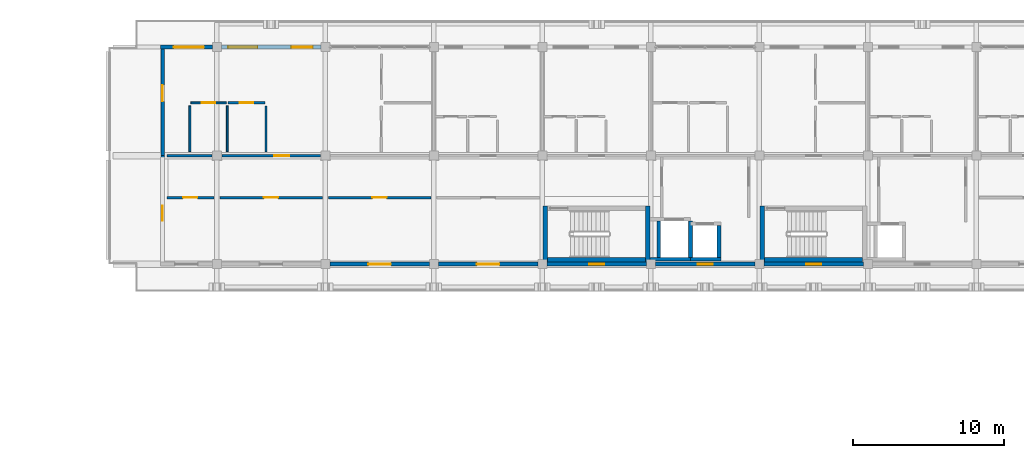
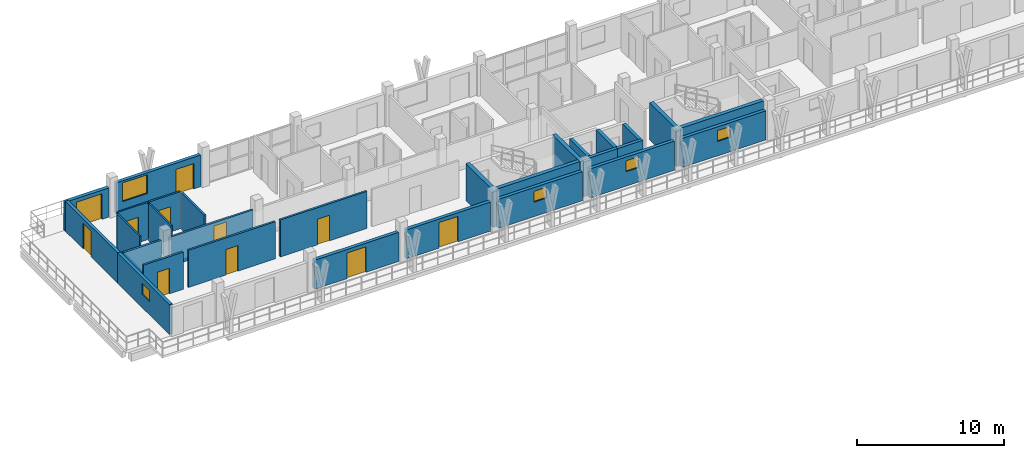
# One storey, part 35 of 60: 29 walls, 11 doors, 5 windows, 16 openings.
"""IFC4 building model written with IfcOpenShell, lengths in metres."""

from ifc_helpers import new_model, si_unit, direction, frame, frame_2d, origin, place, context, subcontext, project, spatial, rectangle, extrude, material, layer, layer_set, type_object, element, fill, save


model = new_model("IFC4")

# Units and contexts
model_context = context("Model", 3, precision=1e-05, world=origin(), true_north=direction((0.0, 1.0)))
body_context = subcontext(model_context, "Body", "Model", "MODEL_VIEW")
ifc_project = project(units=[si_unit("LENGTHUNIT", "METRE"), si_unit("AREAUNIT", "SQUARE_METRE"), si_unit("VOLUMEUNIT", "CUBIC_METRE"), si_unit("PLANEANGLEUNIT", "RADIAN"), si_unit("MASSUNIT", "GRAM", prefix="KILO")], contexts=[model_context])

# Site, building, storey
site_placement = place(None, origin())
site = spatial("IfcSite", under=ifc_project, at=site_placement, CompositionType="ELEMENT")
building_placement = place(site_placement, origin())
building = spatial("IfcBuilding", under=site, at=building_placement, Name="Suanplinth Sawtooth Commons", CompositionType="ELEMENT")
storey_placement = place(building_placement, frame((0.0, 0.0, 31.5)))
storey = spatial("IfcBuildingStorey", under=building, at=storey_placement, Name="L09", CompositionType="ELEMENT", Elevation=31.5)

# Walls
ifc_material_1 = material(Name="Concrete C40/50", Category="concrete")
ifc_layer_1 = layer(ifc_material_1, 0.300048828125, Name="Standard RC stair and lift core wall 300mm")
ifc_layer_set_1 = layer_set([ifc_layer_1], Name="Concrete C40/50")
wall_type_1 = type_object("IfcWallType", Name="W-CR02", PredefinedType="SHEAR", material=ifc_layer_set_1)
wall_1_placement = place(storey_placement, frame((43.550048828125, 108.300048828125, 0.0), z_axis=(0.0, 0.0, 1.0), x_axis=(1.0, 0.0, 0.0)))
element("IfcWall", 1, at=wall_1_placement, inside=storey, type_object=wall_type_1, Name="W-L09-C-A1-STS", PredefinedType="SHEAR", context=body_context, shape_type="SweptSolid", body=[
    extrude(rectangle(XDim=6.5, YDim=0.300048828125, at=frame_2d((3.25, 0.0))), origin(), (0.0, 0.0, 1.0), 3.080078125),
])
for number, where, z_axis, x_axis, name in (
    (2, (43.39990234375, 108.14990234375, 0.0), (0.0, 0.0, 1.0), (0.0, 1.0, 0.0), "W-L09-C-A1-STW"),
    (3, (50.199951171875, 108.14990234375, 0.0), (0.0, 0.0, 1.0), (0.0, 1.0, 0.0), "W-L09-C-A1-STE"),
):
    element("IfcWall", number, at=place(storey_placement, frame(where, z_axis=z_axis, x_axis=x_axis)), inside=storey, type_object=wall_type_1, Name=name, PredefinedType="SHEAR", context=body_context, shape_type="SweptSolid", body=[
        extrude(rectangle(XDim=3.7001953125, YDim=0.300048828125, at=frame_2d((1.85009765625, 0.0))), origin(), (0.0, 0.0, 1.0), 3.080078125),
    ])
wall_2_placement = place(storey_placement, frame((57.949951171875, 108.300048828125, 0.0), z_axis=(0.0, 0.0, 1.0), x_axis=(1.0, 0.0, 0.0)))
element("IfcWall", 4, at=wall_2_placement, inside=storey, type_object=wall_type_1, Name="W-L09-C-A2-STS", PredefinedType="SHEAR", context=body_context, shape_type="SweptSolid", body=[
    extrude(rectangle(XDim=6.5, YDim=0.300048828125, at=frame_2d((3.25, 0.0))), origin(), (0.0, 0.0, 1.0), 3.080078125),
])
wall_3_placement = place(storey_placement, frame((57.800048828125, 108.14990234375, 0.0), z_axis=(0.0, 0.0, 1.0), x_axis=(0.0, 1.0, 0.0)))
element("IfcWall", 5, at=wall_3_placement, inside=storey, type_object=wall_type_1, Name="W-L09-C-A2-STW", PredefinedType="SHEAR", context=body_context, shape_type="SweptSolid", body=[
    extrude(rectangle(XDim=3.7001953125, YDim=0.300048828125, at=frame_2d((1.85009765625, 0.0))), origin(), (0.0, 0.0, 1.0), 3.080078125),
])

# Wall, opening, door
ifc_material_2 = material(Name="Precast concrete C40/50", Category="concrete")
ifc_layer_2 = layer(ifc_material_2, 0.260009765625, Name="Insulated precast courtyard facade wall 260mm")
ifc_layer_set_2 = layer_set([ifc_layer_2], Name="Precast concrete C40/50")
wall_type_2 = type_object("IfcWallType", Name="W-EX02", PredefinedType="ELEMENTEDWALL", material=ifc_layer_set_2)
wall_4_placement = place(storey_placement, frame((17.8701171875, 122.39990234375, 0.0), z_axis=(0.0, 0.0, 1.0), x_axis=(1.0, 0.0, 0.0)))
wall_4 = element("IfcWall", 6, at=wall_4_placement, inside=storey, type_object=wall_type_2, Name="Facade Wall W-L09-A-N-0", PredefinedType="ELEMENTEDWALL", context=body_context, shape_type="SweptSolid", body=[
    extrude(rectangle(XDim=3.429931640625, YDim=0.260009765625, at=frame_2d((1.71484375, 0.0))), origin(), (0.0, 0.0, 1.0), 2.4150390625),
])
opening_1_placement = place(wall_4_placement, frame((0.8798828125, 0.0, 0.0)))
opening_1 = element("IfcOpeningElement", 7, at=opening_1_placement, cuts=wall_4, Name="Opening ED0688", PredefinedType="OPENING", context=body_context, shape_type="SweptSolid", body=[
    extrude(rectangle(XDim=2.0, YDim=2.1201171875, at=frame_2d((1.0, 1.06005859375))), frame((0.0, 0.14501953125, 0.0), z_axis=(0.0, -1.0, 0.0), x_axis=(1.0, 0.0, 0.0)), (0.0, 0.0, 1.0), 0.289794921875),
])
ifc_material_3 = material(Name="Anodized aluminium and low-E glass", Category="aluminium")
door_type_1 = type_object("IfcDoorType", Name="SD-06", OperationType="DOUBLE_DOOR_SLIDING", PredefinedType="DOOR", material=ifc_material_3)
door_1_placement = place(opening_1_placement, frame((2.0, 0.0, 0.0), z_axis=(0.0, 0.0, 1.0), x_axis=(-1.0, 0.0, 0.0)))
door_1 = element("IfcDoor", 8, at=door_1_placement, inside=storey, type_object=door_type_1, Name="Balcony Sliding Door L09-A-N-0", OperationType="DOUBLE_DOOR_SLIDING", OverallHeight=2.1201171875, OverallWidth=2.0, PredefinedType="DOOR", context=body_context, shape_type="SweptSolid", body=[
    extrude(rectangle(XDim=2.0, YDim=2.1201171875, at=frame_2d((1.0, 1.06005859375))), frame((0.0, 0.02490234375, 0.0), z_axis=(0.0, -1.0, 0.0), x_axis=(1.0, 0.0, 0.0)), (0.0, 0.0, 1.0), 0.050048828125),
])
fill(opening_1, door_1)

# Wall, openings, door, window
wall_5_placement = place(storey_placement, frame((21.89990234375, 122.39990234375, 0.0), z_axis=(0.0, 0.0, 1.0), x_axis=(1.0, 0.0, 0.0)))
wall_5 = element("IfcWall", 9, at=wall_5_placement, inside=storey, type_object=wall_type_2, Name="Facade Wall W-L09-A-N-1", PredefinedType="ELEMENTEDWALL", context=body_context, shape_type="SweptSolid", body=[
    extrude(rectangle(XDim=6.60009765625, YDim=0.260009765625, at=frame_2d((3.300048828125, 0.0))), origin(), (0.0, 0.0, 1.0), 2.614990234375),
])
opening_2_placement = place(wall_5_placement, frame((4.64990234375, 0.0, 0.0)))
opening_2 = element("IfcOpeningElement", 10, at=opening_2_placement, cuts=wall_5, Name="Opening ED0690", PredefinedType="OPENING", context=body_context, shape_type="SweptSolid", body=[
    extrude(rectangle(XDim=1.39990234375, YDim=2.10009765625, at=frame_2d((0.699951171875, 1.050048828125))), frame((0.0, 0.14501953125, 0.0), z_axis=(0.0, -1.0, 0.0), x_axis=(1.0, 0.0, 0.0)), (0.0, 0.0, 1.0), 0.289794921875),
])
opening_3_placement = place(wall_5_placement, frame((0.449951171875, 0.0, 0.89990234375)))
opening_3 = element("IfcOpeningElement", 11, at=opening_3_placement, cuts=wall_5, Name="Opening W0772", PredefinedType="OPENING", context=body_context, shape_type="SweptSolid", body=[
    extrude(rectangle(XDim=1.949951171875, YDim=1.550048828125, at=frame_2d((0.97509765625, 0.77490234375))), frame((0.0, 0.14501953125, 0.0), z_axis=(0.0, -1.0, 0.0), x_axis=(1.0, 0.0, 0.0)), (0.0, 0.0, 1.0), 0.289794921875),
])
door_type_2 = type_object("IfcDoorType", Name="SD-07", OperationType="SLIDING_TO_RIGHT", PredefinedType="DOOR", material=ifc_material_3)
door_2_placement = place(opening_2_placement, frame((1.39990234375, 0.0, 0.0), z_axis=(0.0, 0.0, 1.0), x_axis=(-1.0, 0.0, 0.0)))
door_2 = element("IfcDoor", 12, at=door_2_placement, inside=storey, type_object=door_type_2, Name="Balcony Sliding Door L09-A-N-1", OperationType="SLIDING_TO_RIGHT", OverallHeight=2.10009765625, OverallWidth=1.39990234375, PredefinedType="DOOR", context=body_context, shape_type="SweptSolid", body=[
    extrude(rectangle(XDim=1.39990234375, YDim=2.10009765625, at=frame_2d((0.699951171875, 1.050048828125))), frame((0.0, 0.02490234375, 0.0), z_axis=(0.0, -1.0, 0.0), x_axis=(1.0, 0.0, 0.0)), (0.0, 0.0, 1.0), 0.050048828125),
])
fill(opening_2, door_2)
ifc_material_4 = material(Name="Thermally broken aluminium and low-E double glazing", Category="aluminium")
window_type_1 = type_object("IfcWindowType", Name="WN-18", PartitioningType="DOUBLE_PANEL_VERTICAL", PredefinedType="WINDOW", material=ifc_material_4)
window_1_placement = place(opening_3_placement, origin())
window_1 = element("IfcWindow", 13, at=window_1_placement, inside=storey, type_object=window_type_1, Name="Window L09-A-N-1", OverallHeight=1.550048828125, OverallWidth=1.949951171875, PartitioningType="DOUBLE_PANEL_VERTICAL", PredefinedType="WINDOW", context=body_context, shape_type="SweptSolid", body=[
    extrude(rectangle(XDim=1.949951171875, YDim=1.550048828125, at=frame_2d((0.97509765625, 0.77490234375))), frame((0.0, 0.030029296875, 0.0), z_axis=(0.0, -1.0, 0.0), x_axis=(1.0, 0.0, 0.0)), (0.0, 0.0, 1.0), 0.06005859375),
])
fill(opening_3, window_1)

# Wall, opening, door
wall_6_placement = place(storey_placement, frame((29.10009765625, 108.0, 0.0), z_axis=(0.0, 0.0, 1.0), x_axis=(1.0, 0.0, 0.0)))
wall_6 = element("IfcWall", 14, at=wall_6_placement, inside=storey, type_object=wall_type_2, Name="Courtyard Wall W-L09-A-S-2", PredefinedType="ELEMENTEDWALL", context=body_context, shape_type="SweptSolid", body=[
    extrude(rectangle(XDim=6.599853515625, YDim=0.260009765625, at=frame_2d((3.2998046875, 0.0))), origin(), (0.0, 0.0, 1.0), 2.4150390625),
])
opening_4_placement = place(wall_6_placement, frame((2.550048828125, 0.0, 0.0)))
opening_4 = element("IfcOpeningElement", 15, at=opening_4_placement, cuts=wall_6, Name="Opening ED0692", PredefinedType="OPENING", context=body_context, shape_type="SweptSolid", body=[
    extrude(rectangle(XDim=1.5, YDim=2.1201171875, at=frame_2d((0.75, 1.06005859375))), frame((0.0, 0.14501953125, 0.0), z_axis=(0.0, -1.0, 0.0), x_axis=(1.0, 0.0, 0.0)), (0.0, 0.0, 1.0), 0.289794921875),
])
door_type_3 = type_object("IfcDoorType", Name="SD-03", OperationType="SLIDING_TO_LEFT", PredefinedType="DOOR", material=ifc_material_3)
door_3_placement = place(opening_4_placement, frame((1.5, 0.0, 0.0), z_axis=(0.0, 0.0, 1.0), x_axis=(-1.0, 0.0, 0.0)))
door_3 = element("IfcDoor", 16, at=door_3_placement, inside=storey, type_object=door_type_3, Name="Courtyard Balcony Sliding Door L09-A-S-2", OperationType="SLIDING_TO_LEFT", OverallHeight=2.1201171875, OverallWidth=1.5, PredefinedType="DOOR", context=body_context, shape_type="SweptSolid", body=[
    extrude(rectangle(XDim=1.5, YDim=2.1201171875, at=frame_2d((0.75, 1.06005859375))), frame((0.0, 0.02490234375, 0.0), z_axis=(0.0, -1.0, 0.0), x_axis=(1.0, 0.0, 0.0)), (0.0, 0.0, 1.0), 0.050048828125),
])
fill(opening_4, door_3)

wall_7_placement = place(storey_placement, frame((36.300048828125, 108.0, 0.0), z_axis=(0.0, 0.0, 1.0), x_axis=(1.0, 0.0, 0.0)))
wall_7 = element("IfcWall", 17, at=wall_7_placement, inside=storey, type_object=wall_type_2, Name="Courtyard Wall W-L09-A-S-3", PredefinedType="ELEMENTEDWALL", context=body_context, shape_type="SweptSolid", body=[
    extrude(rectangle(XDim=6.599853515625, YDim=0.260009765625, at=frame_2d((3.2998046875, 0.0))), origin(), (0.0, 0.0, 1.0), 2.4150390625),
])
opening_5_placement = place(wall_7_placement, frame((2.550048828125, 0.0, 0.0)))
opening_5 = element("IfcOpeningElement", 18, at=opening_5_placement, cuts=wall_7, Name="Opening ED0694", PredefinedType="OPENING", context=body_context, shape_type="SweptSolid", body=[
    extrude(rectangle(XDim=1.5, YDim=2.1201171875, at=frame_2d((0.75, 1.06005859375))), frame((0.0, 0.14501953125, 0.0), z_axis=(0.0, -1.0, 0.0), x_axis=(1.0, 0.0, 0.0)), (0.0, 0.0, 1.0), 0.289794921875),
])
door_4_placement = place(opening_5_placement, frame((1.5, 0.0, 0.0), z_axis=(0.0, 0.0, 1.0), x_axis=(-1.0, 0.0, 0.0)))
door_4 = element("IfcDoor", 19, at=door_4_placement, inside=storey, type_object=door_type_3, Name="Courtyard Balcony Sliding Door L09-A-S-3", OperationType="SLIDING_TO_LEFT", OverallHeight=2.1201171875, OverallWidth=1.5, PredefinedType="DOOR", context=body_context, shape_type="SweptSolid", body=[
    extrude(rectangle(XDim=1.5, YDim=2.1201171875, at=frame_2d((0.75, 1.06005859375))), frame((0.0, 0.02490234375, 0.0), z_axis=(0.0, -1.0, 0.0), x_axis=(1.0, 0.0, 0.0)), (0.0, 0.0, 1.0), 0.050048828125),
])
fill(opening_5, door_4)

# Wall, opening, window
wall_8_placement = place(storey_placement, frame((43.5, 108.0, 0.0), z_axis=(0.0, 0.0, 1.0), x_axis=(1.0, 0.0, 0.0)))
wall_8 = element("IfcWall", 20, at=wall_8_placement, inside=storey, type_object=wall_type_2, Name="Courtyard Wall W-L09-A-S-4", PredefinedType="ELEMENTEDWALL", context=body_context, shape_type="SweptSolid", body=[
    extrude(rectangle(XDim=6.60009765625, YDim=0.260009765625, at=frame_2d((3.300048828125, 0.0))), origin(), (0.0, 0.0, 1.0), 2.4150390625),
])
opening_6_placement = place(wall_8_placement, frame((2.800048828125, 0.0, 1.199951171875)))
opening_6 = element("IfcOpeningElement", 21, at=opening_6_placement, cuts=wall_8, Name="Opening W0775", PredefinedType="OPENING", context=body_context, shape_type="SweptSolid", body=[
    extrude(rectangle(XDim=1.0, YDim=0.89990234375, at=frame_2d((0.5, 0.449951171875))), frame((0.0, 0.14501953125, 0.0), z_axis=(0.0, -1.0, 0.0), x_axis=(1.0, 0.0, 0.0)), (0.0, 0.0, 1.0), 0.289794921875),
])
window_type_2 = type_object("IfcWindowType", Name="WN-12", PartitioningType="SINGLE_PANEL", PredefinedType="WINDOW", material=ifc_material_4)
window_2_placement = place(opening_6_placement, origin())
window_2 = element("IfcWindow", 22, at=window_2_placement, inside=storey, type_object=window_type_2, Name="Core Daylight Window L09-A-4", OverallHeight=0.89990234375, OverallWidth=1.0, PartitioningType="SINGLE_PANEL", PredefinedType="WINDOW", context=body_context, shape_type="SweptSolid", body=[
    extrude(rectangle(XDim=1.0, YDim=0.89990234375, at=frame_2d((0.5, 0.449951171875))), frame((0.0, 0.030029296875, 0.0), z_axis=(0.0, -1.0, 0.0), x_axis=(1.0, 0.0, 0.0)), (0.0, 0.0, 1.0), 0.06005859375),
])
fill(opening_6, window_2)

wall_9_placement = place(storey_placement, frame((50.699951171875, 108.0, 0.0), z_axis=(0.0, 0.0, 1.0), x_axis=(1.0, 0.0, 0.0)))
wall_9 = element("IfcWall", 23, at=wall_9_placement, inside=storey, type_object=wall_type_2, Name="Courtyard Wall W-L09-A-S-5", PredefinedType="ELEMENTEDWALL", context=body_context, shape_type="SweptSolid", body=[
    extrude(rectangle(XDim=6.60009765625, YDim=0.260009765625, at=frame_2d((3.300048828125, 0.0))), origin(), (0.0, 0.0, 1.0), 2.4150390625),
])
opening_7_placement = place(wall_9_placement, frame((2.800048828125, 0.0, 1.199951171875)))
opening_7 = element("IfcOpeningElement", 24, at=opening_7_placement, cuts=wall_9, Name="Opening W0776", PredefinedType="OPENING", context=body_context, shape_type="SweptSolid", body=[
    extrude(rectangle(XDim=1.0, YDim=0.89990234375, at=frame_2d((0.5, 0.449951171875))), frame((0.0, 0.14501953125, 0.0), z_axis=(0.0, -1.0, 0.0), x_axis=(1.0, 0.0, 0.0)), (0.0, 0.0, 1.0), 0.289794921875),
])
window_3_placement = place(opening_7_placement, origin())
window_3 = element("IfcWindow", 25, at=window_3_placement, inside=storey, type_object=window_type_2, Name="Core Daylight Window L09-A-5", OverallHeight=0.89990234375, OverallWidth=1.0, PartitioningType="SINGLE_PANEL", PredefinedType="WINDOW", context=body_context, shape_type="SweptSolid", body=[
    extrude(rectangle(XDim=1.0, YDim=0.89990234375, at=frame_2d((0.5, 0.449951171875))), frame((0.0, 0.030029296875, 0.0), z_axis=(0.0, -1.0, 0.0), x_axis=(1.0, 0.0, 0.0)), (0.0, 0.0, 1.0), 0.06005859375),
])
fill(opening_7, window_3)

wall_10_placement = place(storey_placement, frame((57.89990234375, 108.0, 0.0), z_axis=(0.0, 0.0, 1.0), x_axis=(1.0, 0.0, 0.0)))
wall_10 = element("IfcWall", 26, at=wall_10_placement, inside=storey, type_object=wall_type_2, Name="Courtyard Wall W-L09-A-S-6", PredefinedType="ELEMENTEDWALL", context=body_context, shape_type="SweptSolid", body=[
    extrude(rectangle(XDim=6.60009765625, YDim=0.260009765625, at=frame_2d((3.300048828125, 0.0))), origin(), (0.0, 0.0, 1.0), 2.4150390625),
])
opening_8_placement = place(wall_10_placement, frame((2.800048828125, 0.0, 1.199951171875)))
opening_8 = element("IfcOpeningElement", 27, at=opening_8_placement, cuts=wall_10, Name="Opening W0778", PredefinedType="OPENING", context=body_context, shape_type="SweptSolid", body=[
    extrude(rectangle(XDim=1.0, YDim=0.89990234375, at=frame_2d((0.5, 0.449951171875))), frame((0.0, 0.14501953125, 0.0), z_axis=(0.0, -1.0, 0.0), x_axis=(1.0, 0.0, 0.0)), (0.0, 0.0, 1.0), 0.289794921875),
])
window_4_placement = place(opening_8_placement, origin())
window_4 = element("IfcWindow", 28, at=window_4_placement, inside=storey, type_object=window_type_2, Name="Core Daylight Window L09-A-6", OverallHeight=0.89990234375, OverallWidth=1.0, PartitioningType="SINGLE_PANEL", PredefinedType="WINDOW", context=body_context, shape_type="SweptSolid", body=[
    extrude(rectangle(XDim=1.0, YDim=0.89990234375, at=frame_2d((0.5, 0.449951171875))), frame((0.0, 0.030029296875, 0.0), z_axis=(0.0, -1.0, 0.0), x_axis=(1.0, 0.0, 0.0)), (0.0, 0.0, 1.0), 0.06005859375),
])
fill(opening_8, window_4)

ifc_layer_3 = layer(ifc_material_2, 0.22998046875, Name="Stepped terrace insulated precast wall 230mm")
ifc_layer_set_3 = layer_set([ifc_layer_3], Name="Precast concrete C40/50")
wall_type_3 = type_object("IfcWallType", Name="W-EX06", PredefinedType="ELEMENTEDWALL", material=ifc_layer_set_3)
wall_11_placement = place(storey_placement, frame((18.0, 108.1298828125, 0.0), z_axis=(0.0, 0.0, 1.0), x_axis=(0.0, 1.0, 0.0)))
wall_11 = element("IfcWall", 29, at=wall_11_placement, inside=storey, type_object=wall_type_3, Name="End Wall W-L09-A-W-15", PredefinedType="ELEMENTEDWALL", context=body_context, shape_type="SweptSolid", body=[
    extrude(rectangle(XDim=7.070068359375, YDim=0.22998046875, at=frame_2d((3.53515625, 0.0))), origin(), (0.0, 0.0, 1.0), 2.514892578125),
])
opening_9_placement = place(wall_11_placement, frame((2.75, 0.0, 1.10009765625)))
opening_9 = element("IfcOpeningElement", 30, at=opening_9_placement, cuts=wall_11, Name="Opening W0783", PredefinedType="OPENING", context=body_context, shape_type="SweptSolid", body=[
    extrude(rectangle(XDim=1.0, YDim=0.89990234375, at=frame_2d((0.5, 0.449951171875))), frame((0.0, 0.1298828125, 0.0), z_axis=(0.0, -1.0, 0.0), x_axis=(1.0, 0.0, 0.0)), (0.0, 0.0, 1.0), 0.259765625),
])
window_5_placement = place(opening_9_placement, origin())
window_5 = element("IfcWindow", 31, at=window_5_placement, inside=storey, type_object=window_type_2, Name="End Window L09-A-W-15", OverallHeight=0.89990234375, OverallWidth=1.0, PartitioningType="SINGLE_PANEL", PredefinedType="WINDOW", context=body_context, shape_type="SweptSolid", body=[
    extrude(rectangle(XDim=1.0, YDim=0.89990234375, at=frame_2d((0.5, 0.449951171875))), frame((0.0, 0.030029296875, 0.0), z_axis=(0.0, -1.0, 0.0), x_axis=(1.0, 0.0, 0.0)), (0.0, 0.0, 1.0), 0.06005859375),
])
fill(opening_9, window_5)

# Wall, opening, door
wall_12_placement = place(storey_placement, frame((18.0, 115.199951171875, 0.0), z_axis=(0.0, 0.0, 1.0), x_axis=(0.0, 1.0, 0.0)))
wall_12 = element("IfcWall", 32, at=wall_12_placement, inside=storey, type_object=wall_type_3, Name="End Wall W-L09-A-W-16", PredefinedType="ELEMENTEDWALL", context=body_context, shape_type="SweptSolid", body=[
    extrude(rectangle(XDim=7.070068359375, YDim=0.22998046875, at=frame_2d((3.53515625, 0.0))), origin(), (0.0, 0.0, 1.0), 2.514892578125),
])
opening_10_placement = place(wall_12_placement, frame((3.60009765625, 0.0, 0.0)))
opening_10 = element("IfcOpeningElement", 33, at=opening_10_placement, cuts=wall_12, Name="Opening ED0705", PredefinedType="OPENING", context=body_context, shape_type="SweptSolid", body=[
    extrude(rectangle(XDim=1.080078125, YDim=2.1201171875, at=frame_2d((0.5400390625, 1.06005859375))), frame((0.0, 0.1298828125, 0.0), z_axis=(0.0, -1.0, 0.0), x_axis=(1.0, 0.0, 0.0)), (0.0, 0.0, 1.0), 0.259765625),
])
door_type_4 = type_object("IfcDoorType", Name="ED-10", OperationType="NOTDEFINED", PredefinedType="DOOR", material=ifc_material_3)
door_5_placement = place(opening_10_placement, frame((1.080078125, 0.0, 0.0), z_axis=(0.0, 0.0, 1.0), x_axis=(-1.0, 0.0, 0.0)))
door_5 = element("IfcDoor", 34, at=door_5_placement, inside=storey, type_object=door_type_4, Name="L09 Block A W Stepped Terrace Door", OperationType="SINGLE_SWING_RIGHT", OverallHeight=2.1201171875, OverallWidth=1.080078125, PredefinedType="DOOR", context=body_context, shape_type="SweptSolid", body=[
    extrude(rectangle(XDim=1.080078125, YDim=2.1201171875, at=frame_2d((0.5400390625, 1.06005859375))), frame((0.0, 0.02490234375, 0.0), z_axis=(0.0, -1.0, 0.0), x_axis=(1.0, 0.0, 0.0)), (0.0, 0.0, 1.0), 0.050048828125),
])
fill(opening_10, door_5)

# Wall
ifc_layer_4 = layer(ifc_material_2, 0.159912109375, Name="Fire-rated corridor and lobby wall 160mm")
ifc_layer_set_4 = layer_set([ifc_layer_4], Name="Precast concrete C40/50")
wall_type_4 = type_object("IfcWallType", Name="W-FW01", PredefinedType="PARTITIONING", material=ifc_layer_set_4)
wall_13_placement = place(storey_placement, frame((18.280029296875, 115.199951171875, 0.0), z_axis=(0.0, 0.0, 1.0), x_axis=(1.0, 0.0, 0.0)))
element("IfcWall", 35, at=wall_13_placement, inside=storey, type_object=wall_type_4, Name="W-A-L09-U01-COR-S1", PredefinedType="PARTITIONING", context=body_context, shape_type="SweptSolid", body=[
    extrude(rectangle(XDim=2.989990234375, YDim=0.159912109375, at=frame_2d((1.4951171875, 0.0))), origin(), (0.0, 0.0, 1.0), 2.4150390625),
])

# Wall, opening, door
wall_14_placement = place(storey_placement, frame((21.929931640625, 115.199951171875, 0.0), z_axis=(0.0, 0.0, 1.0), x_axis=(1.0, 0.0, 0.0)))
wall_14 = element("IfcWall", 36, at=wall_14_placement, inside=storey, type_object=wall_type_4, Name="W-A-L09-U01-COR-S2", PredefinedType="PARTITIONING", context=body_context, shape_type="SweptSolid", body=[
    extrude(rectangle(XDim=6.5400390625, YDim=0.159912109375, at=frame_2d((3.27001953125, 0.0))), origin(), (0.0, 0.0, 1.0), 2.4150390625),
])
opening_11_placement = place(wall_14_placement, frame((3.469970703125, 0.0, 0.0)))
opening_11 = element("IfcOpeningElement", 37, at=opening_11_placement, cuts=wall_14, Name="Opening FD1757", PredefinedType="OPENING", context=body_context, shape_type="SweptSolid", body=[
    extrude(rectangle(XDim=1.0, YDim=2.14990234375, at=frame_2d((0.5, 1.074951171875))), frame((0.0, 0.0947265625, 0.0), z_axis=(0.0, -1.0, 0.0), x_axis=(1.0, 0.0, 0.0)), (0.0, 0.0, 1.0), 0.189697265625),
])
ifc_material_5 = material(Name="Teak hardwood fire-rated door assembly", Category="wood")
door_type_5 = type_object("IfcDoorType", Name="FD-03", OperationType="NOTDEFINED", PredefinedType="DOOR", material=ifc_material_5)
door_6_placement = place(opening_11_placement, origin())
door_6 = element("IfcDoor", 38, at=door_6_placement, inside=storey, type_object=door_type_5, Name="Unit Entrance Door FD1757", OperationType="SINGLE_SWING_LEFT", OverallHeight=2.14990234375, OverallWidth=1.0, PredefinedType="DOOR", context=body_context, shape_type="SweptSolid", body=[
    extrude(rectangle(XDim=1.0, YDim=2.14990234375, at=frame_2d((0.5, 1.074951171875))), frame((0.0, 0.02490234375, 0.0), z_axis=(0.0, -1.0, 0.0), x_axis=(1.0, 0.0, 0.0)), (0.0, 0.0, 1.0), 0.050048828125),
])
fill(opening_11, door_6)

wall_15_placement = place(storey_placement, frame((18.280029296875, 112.419921875, 0.0), z_axis=(0.0, 0.0, 1.0), x_axis=(1.0, 0.0, 0.0)))
wall_15 = element("IfcWall", 39, at=wall_15_placement, inside=storey, type_object=wall_type_4, Name="W-A-L09-COURTROOM-8-COR", PredefinedType="PARTITIONING", context=body_context, shape_type="SweptSolid", body=[
    extrude(rectangle(XDim=3.119873046875, YDim=0.159912109375, at=frame_2d((1.56005859375, 0.0))), origin(), (0.0, 0.0, 1.0), 3.080078125),
])
opening_12_placement = place(wall_15_placement, frame((1.090087890625, 0.0, 0.0)))
opening_12 = element("IfcOpeningElement", 40, at=opening_12_placement, cuts=wall_15, Name="Opening D1785", PredefinedType="OPENING", context=body_context, shape_type="SweptSolid", body=[
    extrude(rectangle(XDim=0.93994140625, YDim=2.1201171875, at=frame_2d((0.469970703125, 1.06005859375))), frame((0.0, 0.0947265625, 0.0), z_axis=(0.0, -1.0, 0.0), x_axis=(1.0, 0.0, 0.0)), (0.0, 0.0, 1.0), 0.189697265625),
])
ifc_material_6 = material(Name="Teak hardwood", Category="wood")
door_type_6 = type_object("IfcDoorType", Name="D-15", OperationType="NOTDEFINED", PredefinedType="DOOR", material=ifc_material_6)
door_7_placement = place(opening_12_placement, frame((0.93994140625, 0.0, 0.0), z_axis=(0.0, 0.0, 1.0), x_axis=(-1.0, 0.0, 0.0)))
door_7 = element("IfcDoor", 41, at=door_7_placement, inside=storey, type_object=door_type_6, Name="Study Studio Door D1785", OperationType="SINGLE_SWING_LEFT", OverallHeight=2.1201171875, OverallWidth=0.93994140625, PredefinedType="DOOR", context=body_context, shape_type="SweptSolid", body=[
    extrude(rectangle(XDim=0.93994140625, YDim=2.1201171875, at=frame_2d((0.469970703125, 1.06005859375))), frame((0.0, 0.02490234375, 0.0), z_axis=(0.0, -1.0, 0.0), x_axis=(1.0, 0.0, 0.0)), (0.0, 0.0, 1.0), 0.050048828125),
])
fill(opening_12, door_7)

wall_16_placement = place(storey_placement, frame((21.800048828125, 112.419921875, 0.0), z_axis=(0.0, 0.0, 1.0), x_axis=(1.0, 0.0, 0.0)))
wall_16 = element("IfcWall", 42, at=wall_16_placement, inside=storey, type_object=wall_type_4, Name="W-A-L09-COURTROOM-9-COR", PredefinedType="PARTITIONING", context=body_context, shape_type="SweptSolid", body=[
    extrude(rectangle(XDim=6.800048828125, YDim=0.159912109375, at=frame_2d((3.39990234375, 0.0))), origin(), (0.0, 0.0, 1.0), 3.080078125),
])
opening_13_placement = place(wall_16_placement, frame((2.929931640625, 0.0, 0.0)))
opening_13 = element("IfcOpeningElement", 43, at=opening_13_placement, cuts=wall_16, Name="Opening D1786", PredefinedType="OPENING", context=body_context, shape_type="SweptSolid", body=[
    extrude(rectangle(XDim=0.93994140625, YDim=2.1201171875, at=frame_2d((0.469970703125, 1.06005859375))), frame((0.0, 0.0947265625, 0.0), z_axis=(0.0, -1.0, 0.0), x_axis=(1.0, 0.0, 0.0)), (0.0, 0.0, 1.0), 0.189697265625),
])
door_8_placement = place(opening_13_placement, frame((0.93994140625, 0.0, 0.0), z_axis=(0.0, 0.0, 1.0), x_axis=(-1.0, 0.0, 0.0)))
door_8 = element("IfcDoor", 44, at=door_8_placement, inside=storey, type_object=door_type_6, Name="Study Studio Door D1786", OperationType="SINGLE_SWING_RIGHT", OverallHeight=2.1201171875, OverallWidth=0.93994140625, PredefinedType="DOOR", context=body_context, shape_type="SweptSolid", body=[
    extrude(rectangle(XDim=0.93994140625, YDim=2.1201171875, at=frame_2d((0.469970703125, 1.06005859375))), frame((0.0, 0.02490234375, 0.0), z_axis=(0.0, -1.0, 0.0), x_axis=(1.0, 0.0, 0.0)), (0.0, 0.0, 1.0), 0.050048828125),
])
fill(opening_13, door_8)

wall_17_placement = place(storey_placement, frame((29.0, 112.419921875, 0.0), z_axis=(0.0, 0.0, 1.0), x_axis=(1.0, 0.0, 0.0)))
wall_17 = element("IfcWall", 45, at=wall_17_placement, inside=storey, type_object=wall_type_4, Name="W-A-L09-COURTROOM-10-COR", PredefinedType="PARTITIONING", context=body_context, shape_type="SweptSolid", body=[
    extrude(rectangle(XDim=6.800048828125, YDim=0.159912109375, at=frame_2d((3.39990234375, 0.0))), origin(), (0.0, 0.0, 1.0), 3.080078125),
])
opening_14_placement = place(wall_17_placement, frame((2.929931640625, 0.0, 0.0)))
opening_14 = element("IfcOpeningElement", 46, at=opening_14_placement, cuts=wall_17, Name="Opening D1787", PredefinedType="OPENING", context=body_context, shape_type="SweptSolid", body=[
    extrude(rectangle(XDim=0.93994140625, YDim=2.1201171875, at=frame_2d((0.469970703125, 1.06005859375))), frame((0.0, 0.0947265625, 0.0), z_axis=(0.0, -1.0, 0.0), x_axis=(1.0, 0.0, 0.0)), (0.0, 0.0, 1.0), 0.189697265625),
])
door_9_placement = place(opening_14_placement, frame((0.93994140625, 0.0, 0.0), z_axis=(0.0, 0.0, 1.0), x_axis=(-1.0, 0.0, 0.0)))
door_9 = element("IfcDoor", 47, at=door_9_placement, inside=storey, type_object=door_type_6, Name="Study Studio Door D1787", OperationType="SINGLE_SWING_LEFT", OverallHeight=2.1201171875, OverallWidth=0.93994140625, PredefinedType="DOOR", context=body_context, shape_type="SweptSolid", body=[
    extrude(rectangle(XDim=0.93994140625, YDim=2.1201171875, at=frame_2d((0.469970703125, 1.06005859375))), frame((0.0, 0.02490234375, 0.0), z_axis=(0.0, -1.0, 0.0), x_axis=(1.0, 0.0, 0.0)), (0.0, 0.0, 1.0), 0.050048828125),
])
fill(opening_14, door_9)

ifc_material_7 = material(Name="Gypsum plasterboard on steel stud", Category="steel")
ifc_layer_5 = layer(ifc_material_7, 0.139892578125, Name="Fire-rated kitchen partition 140mm")
ifc_layer_set_5 = layer_set([ifc_layer_5], Name="Gypsum plasterboard on steel stud")
wall_type_5 = type_object("IfcWallType", Name="W-PT01", PredefinedType="PARTITIONING", material=ifc_layer_set_5)
wall_18_placement = place(storey_placement, frame((22.35009765625, 118.7099609375, 0.0), z_axis=(0.0, 0.0, 1.0), x_axis=(1.0, 0.0, 0.0)))
wall_18 = element("IfcWall", 48, at=wall_18_placement, inside=storey, type_object=wall_type_5, Name="W-A-L09-U01-KIT1", PredefinedType="PARTITIONING", context=body_context, shape_type="SweptSolid", body=[
    extrude(rectangle(XDim=2.449951171875, YDim=0.139892578125, at=frame_2d((1.22509765625, 0.0))), origin(), (0.0, 0.0, 1.0), 3.080078125),
])
opening_15_placement = place(wall_18_placement, frame((0.764892578125, 0.0, 0.0)))
opening_15 = element("IfcOpeningElement", 49, at=opening_15_placement, cuts=wall_18, Name="Opening D1759", PredefinedType="OPENING", context=body_context, shape_type="SweptSolid", body=[
    extrude(rectangle(XDim=0.919921875, YDim=2.10009765625, at=frame_2d((0.4599609375, 1.050048828125))), frame((0.0, 0.0849609375, 0.0), z_axis=(0.0, -1.0, 0.0), x_axis=(1.0, 0.0, 0.0)), (0.0, 0.0, 1.0), 0.169677734375),
])
door_type_7 = type_object("IfcDoorType", Name="D-02", OperationType="NOTDEFINED", PredefinedType="DOOR", material=ifc_material_6)
door_10_placement = place(opening_15_placement, frame((0.919921875, 0.0, 0.0), z_axis=(0.0, 0.0, 1.0), x_axis=(-1.0, 0.0, 0.0)))
door_10 = element("IfcDoor", 50, at=door_10_placement, inside=storey, type_object=door_type_7, Name="Kitchen Door D1759", OperationType="SINGLE_SWING_LEFT", OverallHeight=2.10009765625, OverallWidth=0.919921875, PredefinedType="DOOR", context=body_context, shape_type="SweptSolid", body=[
    extrude(rectangle(XDim=0.919921875, YDim=2.10009765625, at=frame_2d((0.4599609375, 1.050048828125))), frame((0.0, 0.02490234375, 0.0), z_axis=(0.0, -1.0, 0.0), x_axis=(1.0, 0.0, 0.0)), (0.0, 0.0, 1.0), 0.050048828125),
])
fill(opening_15, door_10)

# Wall
wall_19_placement = place(storey_placement, frame((24.8701171875, 115.429931640625, 0.0), z_axis=(0.0, 0.0, 1.0), x_axis=(0.0, 1.0, 0.0)))
element("IfcWall", 51, at=wall_19_placement, inside=storey, type_object=wall_type_5, Name="W-A-L09-U01-KIT2", PredefinedType="PARTITIONING", context=body_context, shape_type="SweptSolid", body=[
    extrude(rectangle(XDim=3.06005859375, YDim=0.139892578125, at=frame_2d((1.530029296875, 0.0))), origin(), (0.0, 0.0, 1.0), 3.080078125),
])

# Wall, opening, door
ifc_layer_6 = layer(ifc_material_7, 0.1298828125, Name="Moisture-resistant bathroom partition 130mm")
ifc_layer_set_6 = layer_set([ifc_layer_6], Name="Gypsum plasterboard on steel stud")
wall_type_6 = type_object("IfcWallType", Name="W-PT02", PredefinedType="PARTITIONING", material=ifc_layer_set_6)
wall_20_placement = place(storey_placement, frame((19.8798828125, 118.705078125, 0.0), z_axis=(0.0, 0.0, 1.0), x_axis=(1.0, 0.0, 0.0)))
wall_20 = element("IfcWall", 52, at=wall_20_placement, inside=storey, type_object=wall_type_6, Name="W-A-L09-U01-BTH1", PredefinedType="PARTITIONING", context=body_context, shape_type="SweptSolid", body=[
    extrude(rectangle(XDim=2.35009765625, YDim=0.1298828125, at=frame_2d((1.175048828125, 0.0))), origin(), (0.0, 0.0, 1.0), 3.080078125),
])
opening_16_placement = place(wall_20_placement, frame((0.72509765625, 0.0, 0.0)))
opening_16 = element("IfcOpeningElement", 53, at=opening_16_placement, cuts=wall_20, Name="Opening D1758", PredefinedType="OPENING", context=body_context, shape_type="SweptSolid", body=[
    extrude(rectangle(XDim=0.89990234375, YDim=2.10009765625, at=frame_2d((0.449951171875, 1.050048828125))), frame((0.0, 0.079833984375, 0.0), z_axis=(0.0, -1.0, 0.0), x_axis=(1.0, 0.0, 0.0)), (0.0, 0.0, 1.0), 0.15966796875),
])
door_type_8 = type_object("IfcDoorType", Name="D-01", OperationType="NOTDEFINED", PredefinedType="DOOR", material=ifc_material_6)
door_11_placement = place(opening_16_placement, frame((0.89990234375, 0.0, 0.0), z_axis=(0.0, 0.0, 1.0), x_axis=(-1.0, 0.0, 0.0)))
door_11 = element("IfcDoor", 54, at=door_11_placement, inside=storey, type_object=door_type_8, Name="Bathroom Door D1758", OperationType="SINGLE_SWING_RIGHT", OverallHeight=2.10009765625, OverallWidth=0.89990234375, PredefinedType="DOOR", context=body_context, shape_type="SweptSolid", body=[
    extrude(rectangle(XDim=0.89990234375, YDim=2.10009765625, at=frame_2d((0.449951171875, 1.050048828125))), frame((0.0, 0.02490234375, 0.0), z_axis=(0.0, -1.0, 0.0), x_axis=(1.0, 0.0, 0.0)), (0.0, 0.0, 1.0), 0.050048828125),
])
fill(opening_16, door_11)

# Walls
for number, where, z_axis, x_axis, name in (
    (55, (22.294921875, 115.4599609375, 0.0), (0.0, 0.0, 1.0), (0.0, 1.0, 0.0), "W-A-L09-U01-BTH2"),
    (56, (19.81494140625, 115.4599609375, 0.0), (0.0, 0.0, 1.0), (0.0, 1.0, 0.0), "W-A-L09-U01-BTH3"),
):
    element("IfcWall", number, at=place(storey_placement, frame(where, z_axis=z_axis, x_axis=x_axis)), inside=storey, type_object=wall_type_6, Name=name, PredefinedType="PARTITIONING", context=body_context, shape_type="SweptSolid", body=[
        extrude(rectangle(XDim=3.0400390625, YDim=0.1298828125, at=frame_2d((1.52001953125, 0.0))), origin(), (0.0, 0.0, 1.0), 3.080078125),
    ])
ifc_layer_7 = layer(ifc_material_2, 0.25, Name="Precast structural shear wall 250mm")
ifc_layer_set_7 = layer_set([ifc_layer_7], Name="Precast concrete C40/50")
wall_type_7 = type_object("IfcWallType", Name="W-SH01", PredefinedType="SHEAR", material=ifc_layer_set_7)
wall_21_placement = place(storey_placement, frame((50.35009765625, 108.324951171875, 0.0), z_axis=(0.0, 0.0, 1.0), x_axis=(1.0, 0.0, 0.0)))
element("IfcWall", 57, at=wall_21_placement, inside=storey, type_object=wall_type_7, Name="W-L09-FL1-S", PredefinedType="SHEAR", context=body_context, shape_type="SweptSolid", body=[
    extrude(rectangle(XDim=2.6748046875, YDim=0.25, at=frame_2d((1.33740234375, 0.0))), origin(), (0.0, 0.0, 1.0), 3.080078125),
])
for number, where, z_axis, x_axis, name in (
    (58, (50.925048828125, 108.449951171875, 0.0), (0.0, 0.0, 1.0), (0.0, 1.0, 0.0), "W-L09-FL1-W"),
    (59, (53.02490234375, 108.449951171875, 0.0), (0.0, 0.0, 1.0), (0.0, 1.0, 0.0), "W-L09-FL1-DIV"),
):
    element("IfcWall", number, at=place(storey_placement, frame(where, z_axis=z_axis, x_axis=x_axis)), inside=storey, type_object=wall_type_7, Name=name, PredefinedType="SHEAR", context=body_context, shape_type="SweptSolid", body=[
        extrude(rectangle(XDim=2.400146484375, YDim=0.25, at=frame_2d((1.2001953125, 0.0))), origin(), (0.0, 0.0, 1.0), 3.080078125),
    ])
wall_22_placement = place(storey_placement, frame((53.02490234375, 108.324951171875, 0.0), z_axis=(0.0, 0.0, 1.0), x_axis=(1.0, 0.0, 0.0)))
element("IfcWall", 60, at=wall_22_placement, inside=storey, type_object=wall_type_7, Name="W-L09-LF1-S", PredefinedType="SHEAR", context=body_context, shape_type="SweptSolid", body=[
    extrude(rectangle(XDim=2.025146484375, YDim=0.25, at=frame_2d((1.0126953125, 0.0))), origin(), (0.0, 0.0, 1.0), 3.080078125),
])
wall_23_placement = place(storey_placement, frame((54.925048828125, 108.449951171875, 0.0), z_axis=(0.0, 0.0, 1.0), x_axis=(0.0, 1.0, 0.0)))
element("IfcWall", 61, at=wall_23_placement, inside=storey, type_object=wall_type_7, Name="W-L09-LF1-E", PredefinedType="SHEAR", context=body_context, shape_type="SweptSolid", body=[
    extrude(rectangle(XDim=2.10009765625, YDim=0.25, at=frame_2d((1.050048828125, 0.0))), origin(), (0.0, 0.0, 1.0), 3.080078125),
])

save(model, "model.ifc")
